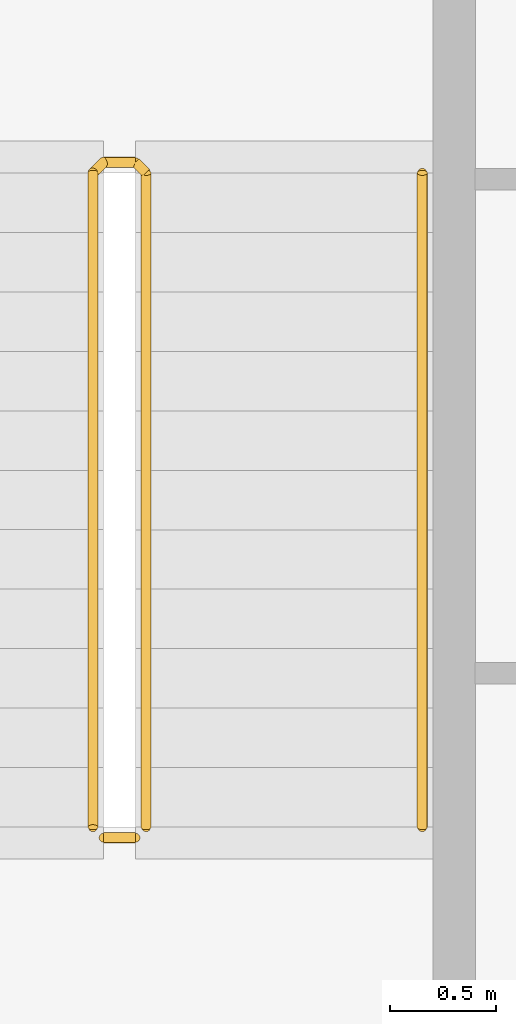
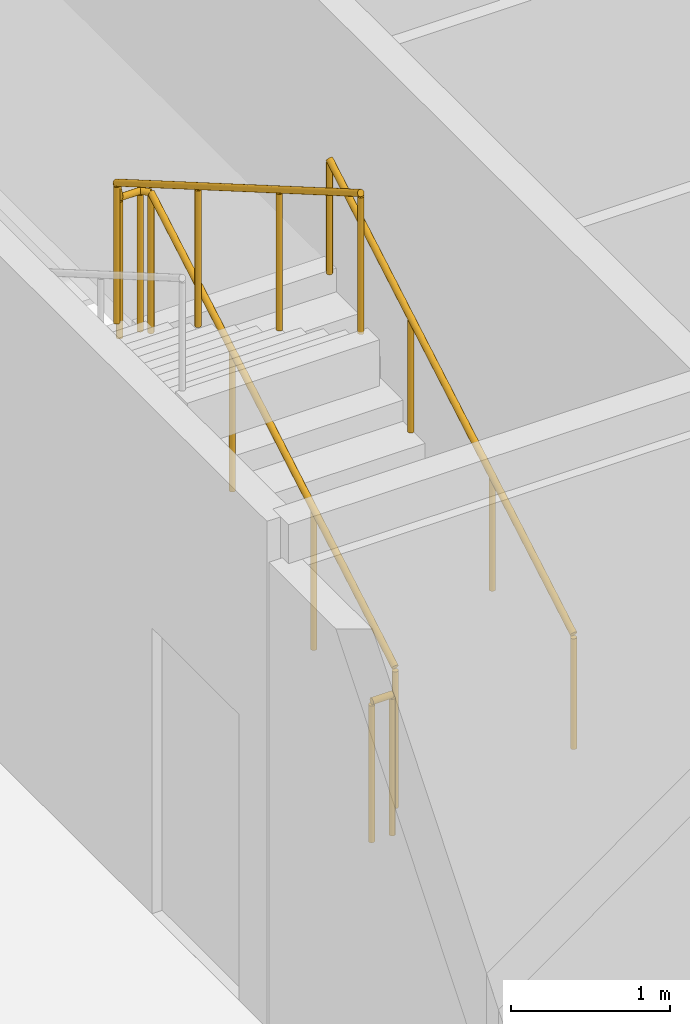
# One storey, part 20 of 21: 3 railings.
"""IFC4 building model written with IfcOpenShell, lengths in metres."""

from ifc_helpers import new_model, si_unit, direction, frame, origin, origin_2d, place, context, subcontext, project, spatial, circle, extrude, material, type_object, element, save


model = new_model("IFC4")

# Units and contexts
model_context = context("Model", 3, precision=1e-05, world=origin(), true_north=direction((0.0, 1.0)))
body_context = subcontext(model_context, "Body", "Model", "MODEL_VIEW")
ifc_project = project(units=[si_unit("LENGTHUNIT", "METRE"), si_unit("AREAUNIT", "SQUARE_METRE"), si_unit("VOLUMEUNIT", "CUBIC_METRE"), si_unit("PLANEANGLEUNIT", "RADIAN"), si_unit("MASSUNIT", "GRAM", prefix="KILO")], contexts=[model_context])

# Site, building, storey
site_placement = place(None, origin())
site = spatial("IfcSite", under=ifc_project, at=site_placement, CompositionType="ELEMENT")
building_placement = place(site_placement, origin())
building = spatial("IfcBuilding", under=site, at=building_placement, Name="Kheshtan School and Residences Tower", CompositionType="ELEMENT")
storey_placement = place(building_placement, frame((0.0, 0.0, 313.699951171875)))
storey = spatial("IfcBuildingStorey", under=building, at=storey_placement, Name="L74", CompositionType="ELEMENT", Elevation=313.699951171875)

# Railings
ifc_material_1 = material(Name="Stainless steel balustrade", Category="steel")
railing_type_1 = type_object("IfcRailingType", Name="Stair guard 1100", PredefinedType="GUARDRAIL", material=ifc_material_1)
railing_1_placement = place(storey_placement, frame((35.0, 80.89990234375, 0.16259765625)))
element("IfcRailing", 1, at=railing_1_placement, inside=storey, type_object=railing_type_1, Name="L74 ST3 stair guard 1", PredefinedType="GUARDRAIL", context=body_context, shape_type="SweptSolid", body=[
    extrude(circle(Radius=0.02392578125, at=origin_2d()), frame((0.0, 0.0, 1.076171875), z_axis=(0.0, 0.864920483161, 0.501908913857), x_axis=(-1.0, 0.0, 0.0)), (0.0, 0.0, 1.0), 3.56103515625),
    extrude(circle(Radius=0.02392578125, at=origin_2d()), frame((0.0, 3.080078125, 2.86328125), z_axis=(-0.707106781187, 0.707106781187, 0.0), x_axis=(-0.707106781187, -0.707106781187, 0.0)), (0.0, 0.0, 1.0), 0.07080078125),
    extrude(circle(Radius=0.02392578125, at=origin_2d()), frame((-0.050048828125, 3.130126953125, 2.86328125), z_axis=(-1.0, 0.0, 0.0), x_axis=(0.0, -1.0, 0.0)), (0.0, 0.0, 1.0), 0.14990234375),
    extrude(circle(Radius=0.02392578125, at=origin_2d()), frame((-0.199951171875, 3.130126953125, 2.86328125), z_axis=(-0.282227285176, -0.282227285176, 0.916894497205), x_axis=(0.707106781187, -0.707106781187, 0.0)), (0.0, 0.0, 1.0), 0.17724609375),
    extrude(circle(Radius=0.02392578125, at=origin_2d()), frame((-0.25, 3.080078125, 3.02587890625), z_axis=(0.0, -0.864890721111, 0.501960198159), x_axis=(1.0, 0.0, 0.0)), (0.0, 0.0, 1.0), 3.561279296875),
    extrude(circle(Radius=0.02099609375, at=origin_2d()), origin(), (0.0, 0.0, 1.0), 1.052001953125),
    extrude(circle(Radius=0.02099609375, at=origin_2d()), frame((0.0, 1.026611328125, 0.595703125)), (0.0, 0.0, 1.0), 1.052001953125),
    extrude(circle(Radius=0.02099609375, at=origin_2d()), frame((0.0, 2.053466796875, 1.191650390625)), (0.0, 0.0, 1.0), 1.052001953125),
    extrude(circle(Radius=0.02099609375, at=origin_2d()), frame((0.0, 3.080078125, 1.787353515625)), (0.0, 0.0, 1.0), 1.052001953125),
    extrude(circle(Radius=0.02099609375, at=origin_2d()), frame((-0.050048828125, 3.130126953125, 1.787353515625)), (0.0, 0.0, 1.0), 1.052001953125),
    extrude(circle(Radius=0.02099609375, at=origin_2d()), frame((-0.199951171875, 3.130126953125, 1.787353515625)), (0.0, 0.0, 1.0), 1.052001953125),
    extrude(circle(Radius=0.02099609375, at=origin_2d()), frame((-0.25, 3.080078125, 1.949951171875)), (0.0, 0.0, 1.0), 1.052001953125),
    extrude(circle(Radius=0.02099609375, at=origin_2d()), frame((-0.25, 2.053466796875, 2.5458984375)), (0.0, 0.0, 1.0), 1.052001953125),
    extrude(circle(Radius=0.02099609375, at=origin_2d()), frame((-0.25, 1.026611328125, 3.1416015625)), (0.0, 0.0, 1.0), 1.052001953125),
    extrude(circle(Radius=0.02099609375, at=origin_2d()), frame((-0.25, 0.0, 3.737548828125)), (0.0, 0.0, 1.0), 1.052001953125),
])
railing_2_placement = place(storey_placement, frame((34.949951171875, 80.85009765625, 0.0)))
element("IfcRailing", 2, at=railing_2_placement, inside=storey, type_object=railing_type_1, Name="L74 ST3 stair guard 2", PredefinedType="GUARDRAIL", context=body_context, shape_type="SweptSolid", body=[
    extrude(circle(Radius=0.02392578125, at=origin_2d()), frame((0.0, 0.0, 1.076171875), z_axis=(-1.0, 0.0, 0.0), x_axis=(0.0, -1.0, 0.0)), (0.0, 0.0, 1.0), 0.14990234375),
    extrude(circle(Radius=0.02099609375, at=origin_2d()), origin(), (0.0, 0.0, 1.0), 1.052001953125),
    extrude(circle(Radius=0.02099609375, at=origin_2d()), frame((-0.14990234375, 0.0, 0.0)), (0.0, 0.0, 1.0), 1.052001953125),
])
ifc_material_2 = material(Name="Stainless steel handrail", Category="steel")
railing_type_2 = type_object("IfcRailingType", Name="Stair handrail 900", PredefinedType="HANDRAIL", material=ifc_material_2)
railing_3_placement = place(storey_placement, frame((36.300048828125, 80.89990234375, 0.16259765625)))
element("IfcRailing", 3, at=railing_3_placement, inside=storey, type_object=railing_type_2, Name="L74 ST3 stair handrail 1", PredefinedType="HANDRAIL", context=body_context, shape_type="SweptSolid", body=[
    extrude(circle(Radius=0.02392578125, at=origin_2d()), frame((0.0, 0.0, 0.8759765625), z_axis=(0.0, 0.864920483161, 0.501908913857), x_axis=(-1.0, 0.0, 0.0)), (0.0, 0.0, 1.0), 3.56103515625),
    extrude(circle(Radius=0.02099609375, at=origin_2d()), origin(), (0.0, 0.0, 1.0), 0.851806640625),
    extrude(circle(Radius=0.02099609375, at=origin_2d()), frame((0.0, 1.026611328125, 0.595703125)), (0.0, 0.0, 1.0), 0.851806640625),
    extrude(circle(Radius=0.02099609375, at=origin_2d()), frame((0.0, 2.053466796875, 1.191650390625)), (0.0, 0.0, 1.0), 0.851806640625),
    extrude(circle(Radius=0.02099609375, at=origin_2d()), frame((0.0, 3.080078125, 1.787353515625)), (0.0, 0.0, 1.0), 0.851806640625),
])

save(model, "model.ifc")
